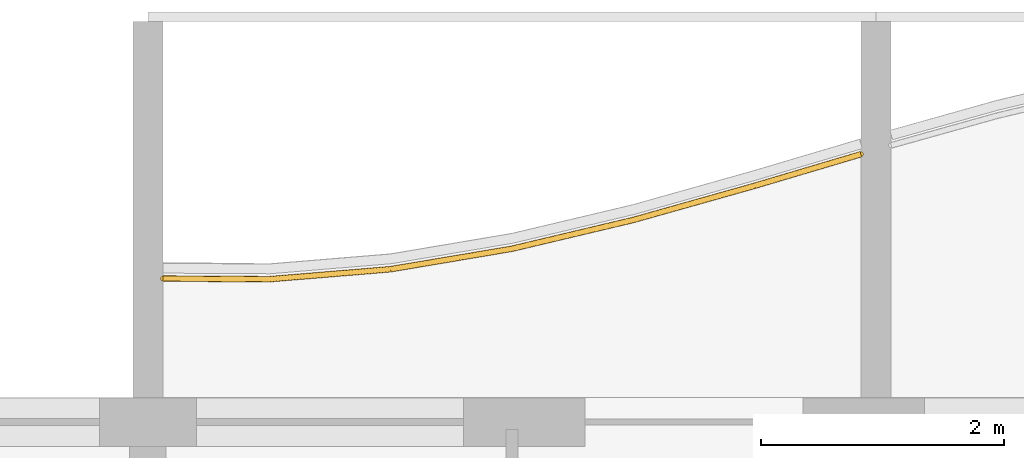
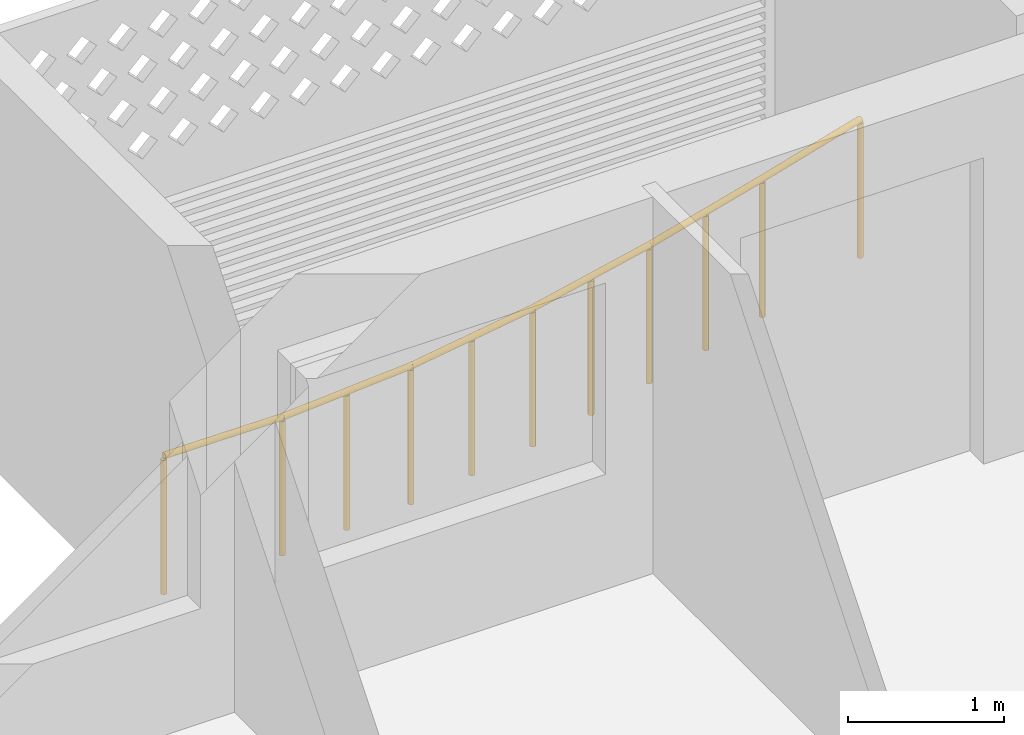
# One storey, part 23 of 26: 1 railing.
"""IFC4 building model written with IfcOpenShell, lengths in metres."""

from ifc_helpers import new_model, si_unit, direction, frame, origin, origin_2d, place, context, subcontext, project, spatial, circle, extrude, material, type_object, element, save


model = new_model("IFC4")

# Units and contexts
model_context = context("Model", 3, precision=1e-05, world=origin(), true_north=direction((0.0, 1.0)))
body_context = subcontext(model_context, "Body", "Model", "MODEL_VIEW")
ifc_project = project(units=[si_unit("LENGTHUNIT", "METRE"), si_unit("AREAUNIT", "SQUARE_METRE"), si_unit("VOLUMEUNIT", "CUBIC_METRE"), si_unit("PLANEANGLEUNIT", "RADIAN"), si_unit("MASSUNIT", "GRAM", prefix="KILO")], contexts=[model_context])

# Site, building, storey
site_placement = place(None, origin())
site = spatial("IfcSite", under=ifc_project, at=site_placement, CompositionType="ELEMENT")
building_placement = place(site_placement, origin())
building = spatial("IfcBuilding", under=site, at=building_placement, Name="Poui Terraces", CompositionType="ELEMENT")
storey_placement = place(building_placement, frame((0.0, 0.0, 162.0)))
storey = spatial("IfcBuildingStorey", under=building, at=storey_placement, Name="L45", CompositionType="ELEMENT", Elevation=162.0)

# Railing
ifc_material = material(Name="Painted steel fretwork", Category="steel")
railing_type = type_object("IfcRailingType", Name="BALCONY GUARD 1100", PredefinedType="GUARDRAIL", material=ifc_material)
railing_placement = place(storey_placement, frame((66.125, 43.58203125, 0.0)))
element("IfcRailing", 1, at=railing_placement, inside=storey, type_object=railing_type, Name="BALCONY GUARD", PredefinedType="GUARDRAIL", context=body_context, shape_type="SweptSolid", body=[
    extrude(circle(Radius=0.02392578125, at=origin_2d()), frame((0.0, 0.0, 1.076171875), z_axis=(0.999981160599, -0.006138277213, 0.0), x_axis=(0.006138277213, 0.999981160599, 0.0)), (0.0, 0.0, 1.0), 0.875),
    extrude(circle(Radius=0.02392578125, at=origin_2d()), frame((0.875, -0.00537109375, 1.076171875), z_axis=(0.99661255374, 0.082240000773, 0.0), x_axis=(-0.082240000773, 0.99661255374, 0.0)), (0.0, 0.0, 1.0), 1.00341796875),
    extrude(circle(Radius=0.02392578125, at=origin_2d()), frame((1.875, 0.0771484375, 1.076171875), z_axis=(0.986066669641, 0.166350602715, 0.0), x_axis=(-0.166350602715, 0.986066669641, 0.0)), (0.0, 0.0, 1.0), 1.01416015625),
    extrude(circle(Radius=0.02392578125, at=origin_2d()), frame((2.875, 0.245849609375, 1.076171875), z_axis=(0.972979257535, 0.230892538653, 0.0), x_axis=(-0.230892538653, 0.972979257535, 0.0)), (0.0, 0.0, 1.0), 1.02783203125),
    extrude(circle(Radius=0.02392578125, at=origin_2d()), frame((3.875, 0.483154296875, 1.076171875), z_axis=(0.962589664763, 0.270963350457, 0.0), x_axis=(-0.270963350457, 0.962589664763, 0.0)), (0.0, 0.0, 1.0), 1.038818359375),
    extrude(circle(Radius=0.02392578125, at=origin_2d()), frame((4.875, 0.7646484375, 1.076171875), z_axis=(0.958646866278, 0.284598288426, 0.0), x_axis=(-0.284598288426, 0.958646866278, 0.0)), (0.0, 0.0, 1.0), 0.912841796875),
    extrude(circle(Radius=0.02099609375, at=origin_2d()), origin(), (0.0, 0.0, 1.0), 1.052001953125),
    extrude(circle(Radius=0.02099609375, at=origin_2d()), frame((0.875, -0.00537109375, 0.0)), (0.0, 0.0, 1.0), 1.052001953125),
    extrude(circle(Radius=0.02099609375, at=origin_2d()), frame((1.375, 0.035888671875, 0.0)), (0.0, 0.0, 1.0), 1.052001953125),
    extrude(circle(Radius=0.02099609375, at=origin_2d()), frame((1.875, 0.0771484375, 0.0)), (0.0, 0.0, 1.0), 1.052001953125),
    extrude(circle(Radius=0.02099609375, at=origin_2d()), frame((2.375, 0.16162109375, 0.0)), (0.0, 0.0, 1.0), 1.052001953125),
    extrude(circle(Radius=0.02099609375, at=origin_2d()), frame((2.875, 0.245849609375, 0.0)), (0.0, 0.0, 1.0), 1.052001953125),
    extrude(circle(Radius=0.02099609375, at=origin_2d()), frame((3.375, 0.364501953125, 0.0)), (0.0, 0.0, 1.0), 1.052001953125),
    extrude(circle(Radius=0.02099609375, at=origin_2d()), frame((3.875, 0.483154296875, 0.0)), (0.0, 0.0, 1.0), 1.052001953125),
    extrude(circle(Radius=0.02099609375, at=origin_2d()), frame((4.375, 0.6240234375, 0.0)), (0.0, 0.0, 1.0), 1.052001953125),
    extrude(circle(Radius=0.02099609375, at=origin_2d()), frame((4.875, 0.7646484375, 0.0)), (0.0, 0.0, 1.0), 1.052001953125),
    extrude(circle(Radius=0.02099609375, at=origin_2d()), frame((5.75, 1.0244140625, 0.0)), (0.0, 0.0, 1.0), 1.052001953125),
])

save(model, "model.ifc")
